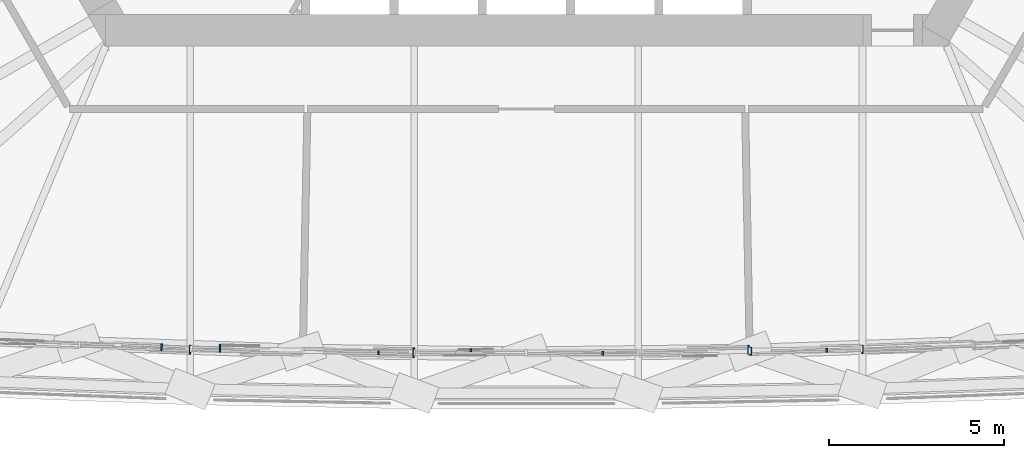
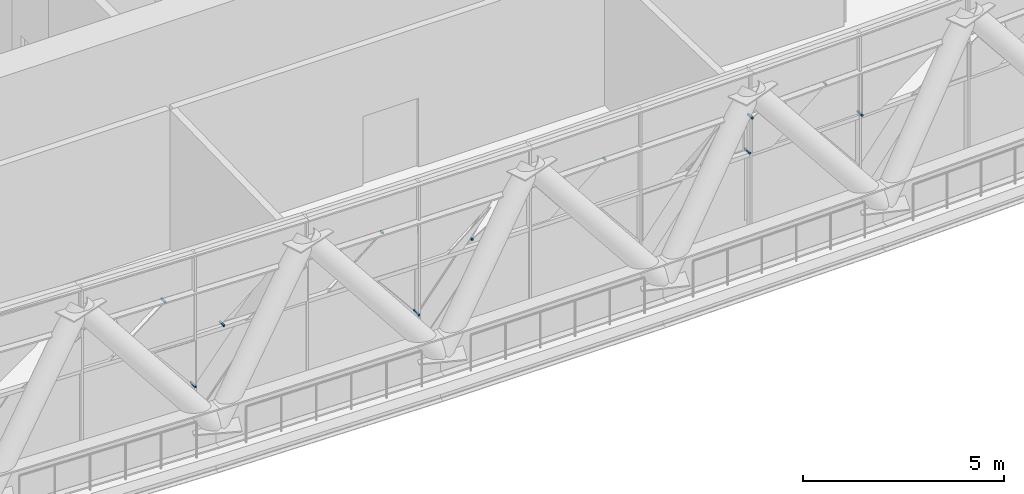
# One storey, part 34 of 43: 12 discrete accessories, 1 element without a shape of its own.
"""IFC4 building model written with IfcOpenShell, lengths in metres."""

from ifc_helpers import new_model, si_unit, direction, frame, origin, origin_2d, place, context, subcontext, project, spatial, rectangle, extrude, material, layer, layer_set, type_object, element, aggregate, save


model = new_model("IFC4")

# Units and contexts
model_context = context("Model", 3, precision=1e-05, world=origin(), true_north=direction((0.0, 1.0)))
body_context = subcontext(model_context, "Body", "Model", "MODEL_VIEW")
ifc_project = project(units=[si_unit("LENGTHUNIT", "METRE"), si_unit("AREAUNIT", "SQUARE_METRE"), si_unit("VOLUMEUNIT", "CUBIC_METRE"), si_unit("PLANEANGLEUNIT", "RADIAN"), si_unit("MASSUNIT", "GRAM", prefix="KILO")], contexts=[model_context])

# Site, building, storey
site_placement = place(None, origin())
site = spatial("IfcSite", under=ifc_project, at=site_placement, CompositionType="ELEMENT")
building_placement = place(site_placement, origin())
building = spatial("IfcBuilding", under=site, at=building_placement, Name="Mestral Congress Tower", CompositionType="ELEMENT")
storey_placement = place(building_placement, frame((0.0, 0.0, 78.300048828125)))
storey = spatial("IfcBuildingStorey", under=building, at=storey_placement, Name="L18", CompositionType="ELEMENT", Elevation=78.300048828125)

# Curtain wall, discrete accessories
ifc_material_1 = material(Name="Clear low-emissivity double glazing", Category="glass")
curtain_wall_type = type_object("IfcCurtainWallType", Name="Facade refuge band screen", PredefinedType="USERDEFINED", material=ifc_material_1)
curtain_wall_placement = place(storey_placement, origin())
curtain_wall = element("IfcCurtainWall", 1, at=curtain_wall_placement, inside=storey, type_object=curtain_wall_type, Name="Facade refuge band screen face 1", ObjectType="CURTAIN WALL", PredefinedType="USERDEFINED")
ifc_material_2 = material(Name="Steel S355", Category="steel")
ifc_layer = layer(ifc_material_2, 0.050048828125)
ifc_layer_set = layer_set([ifc_layer], Name="Steel S355")
discrete_accessory_type = type_object("IfcDiscreteAccessoryType", Name="Facade bracket", PredefinedType="BRACKET", material=ifc_layer_set)
discrete_accessory_1_placement = place(storey_placement, frame((-9.597900390625, -21.67578125, 1.11083984375), z_axis=(0.0, 0.0, 1.0), x_axis=(0.999316832503, -0.036957655167, 0.0)))
discrete_accessory_1 = element("IfcDiscreteAccessory", 2, at=discrete_accessory_1_placement, type_object=discrete_accessory_type, Name="Facade bracket", PredefinedType="BRACKET", context=body_context, shape_type="SweptSolid", body=[
    extrude(rectangle(XDim=0.050048828125, YDim=0.262939453125, at=origin_2d()), origin(), (0.0, 0.0, 1.0), 0.050048828125),
])
discrete_accessory_2_placement = place(storey_placement, frame((-10.413330078125, -21.60302734375, 3.9130859375), z_axis=(0.0, 0.0, 1.0), x_axis=(0.999314831439, -0.037011723357, 0.0)))
discrete_accessory_2 = element("IfcDiscreteAccessory", 3, at=discrete_accessory_2_placement, type_object=discrete_accessory_type, Name="Facade bracket", PredefinedType="BRACKET", context=body_context, shape_type="SweptSolid", body=[
    extrude(rectangle(XDim=0.050048828125, YDim=0.210205078125, at=origin_2d()), origin(), (0.0, 0.0, 1.0), 0.050048828125),
])
discrete_accessory_3_placement = place(storey_placement, frame((-8.74658203125, -21.6337890625, 2.634765625), z_axis=(0.0, 0.0, 1.0), x_axis=(0.999829677053, -0.018455808953, 0.0)))
discrete_accessory_3 = element("IfcDiscreteAccessory", 4, at=discrete_accessory_3_placement, type_object=discrete_accessory_type, Name="Facade bracket", PredefinedType="BRACKET", context=body_context, shape_type="SweptSolid", body=[
    extrude(rectangle(XDim=0.050048828125, YDim=0.22412109375, at=origin_2d()), origin(), (0.0, 0.0, 1.0), 0.050048828125),
])
discrete_accessory_4_placement = place(storey_placement, frame((-3.218505859375, -21.7392578125, 1.1123046875), z_axis=(0.0, 0.0, 1.0), x_axis=(0.999829773674, -0.018450573856, 0.0)))
discrete_accessory_4 = element("IfcDiscreteAccessory", 5, at=discrete_accessory_4_placement, type_object=discrete_accessory_type, Name="Facade bracket", PredefinedType="BRACKET", context=body_context, shape_type="SweptSolid", body=[
    extrude(rectangle(XDim=0.05078125, YDim=0.247314453125, at=origin_2d()), origin(), (0.0, 0.0, 1.0), 0.050048828125),
])
discrete_accessory_5_placement = place(storey_placement, frame((-3.219482421875, -21.77978515625, 1.1123046875), z_axis=(0.0, 0.0, 1.0), x_axis=(0.99982916128, -0.018483729457, 0.0)))
discrete_accessory_5 = element("IfcDiscreteAccessory", 6, at=discrete_accessory_5_placement, type_object=discrete_accessory_type, Name="Facade bracket", PredefinedType="BRACKET", context=body_context, shape_type="SweptSolid", body=[
    extrude(rectangle(XDim=0.05029296875, YDim=0.234375, at=origin_2d()), origin(), (0.0, 0.0, 1.0), 0.050048828125),
])
discrete_accessory_6_placement = place(storey_placement, frame((-4.218017578125, -21.75927734375, 3.9130859375), z_axis=(0.0, 0.0, 1.0), x_axis=(0.999828903101, -0.018497689704, 0.0)))
discrete_accessory_6 = element("IfcDiscreteAccessory", 7, at=discrete_accessory_6_placement, type_object=discrete_accessory_type, Name="Facade bracket", PredefinedType="BRACKET", context=body_context, shape_type="SweptSolid", body=[
    extrude(rectangle(XDim=0.050048828125, YDim=0.106689453125, at=origin_2d()), origin(), (0.0, 0.0, 1.0), 0.050048828125),
])
discrete_accessory_7_placement = place(storey_placement, frame((-1.587158203125, -21.6845703125, 2.740234375), z_axis=(0.0, 0.0, 1.0), x_axis=(0.999999965272, 0.000263544714, 0.0)))
discrete_accessory_7 = element("IfcDiscreteAccessory", 8, at=discrete_accessory_7_placement, type_object=discrete_accessory_type, Name="Facade bracket", PredefinedType="BRACKET", context=body_context, shape_type="SweptSolid", body=[
    extrude(rectangle(XDim=0.051513671875, YDim=0.08056640625, at=origin_2d()), origin(), (0.0, 0.0, 1.0), 0.052490234375),
])
discrete_accessory_8_placement = place(storey_placement, frame((2.180419921875, -21.771484375, 3.9130859375), z_axis=(0.0, 0.0, 1.0), x_axis=(1.0, 0.0, 0.0)))
discrete_accessory_8 = element("IfcDiscreteAccessory", 9, at=discrete_accessory_8_placement, type_object=discrete_accessory_type, Name="Facade bracket", PredefinedType="BRACKET", context=body_context, shape_type="SweptSolid", body=[
    extrude(rectangle(XDim=0.050048828125, YDim=0.111083984375, at=origin_2d()), origin(), (0.0, 0.0, 1.0), 0.050048828125),
])
discrete_accessory_9_placement = place(storey_placement, frame((6.34765625, -21.678466796875, 2.634765625), z_axis=(0.0, 0.0, 1.0), x_axis=(0.99982974147, 0.018452318888, 0.0)))
discrete_accessory_9 = element("IfcDiscreteAccessory", 10, at=discrete_accessory_9_placement, type_object=discrete_accessory_type, Name="Facade bracket", PredefinedType="BRACKET", context=body_context, shape_type="SweptSolid", body=[
    extrude(rectangle(XDim=0.050048828125, YDim=0.2529296875, at=origin_2d()), origin(), (0.0, 0.0, 1.0), 0.050048828125),
])
discrete_accessory_10_placement = place(storey_placement, frame((8.578125, -21.693115234375, 3.9130859375), z_axis=(0.0, 0.0, 1.0), x_axis=(0.999830192047, 0.018427888434, 0.0)))
discrete_accessory_10 = element("IfcDiscreteAccessory", 11, at=discrete_accessory_10_placement, type_object=discrete_accessory_type, Name="Facade bracket", PredefinedType="BRACKET", context=body_context, shape_type="SweptSolid", body=[
    extrude(rectangle(XDim=0.050048828125, YDim=0.10888671875, at=origin_2d()), origin(), (0.0, 0.0, 1.0), 0.050048828125),
])
discrete_accessory_11_placement = place(storey_placement, frame((6.40771484375, -21.721435546875, 3.6953125), z_axis=(0.0, 0.0, 1.0), x_axis=(0.99983070626, 0.0183999679, 0.0)))
discrete_accessory_11 = element("IfcDiscreteAccessory", 12, at=discrete_accessory_11_placement, type_object=discrete_accessory_type, Name="Facade bracket", PredefinedType="BRACKET", context=body_context, shape_type="SweptSolid", body=[
    extrude(rectangle(XDim=0.051513671875, YDim=0.234375, at=origin_2d()), origin(), (0.0, 0.0, 1.0), 0.050048828125),
])
discrete_accessory_12_placement = place(storey_placement, frame((9.597900390625, -21.663330078125, 2.634765625), z_axis=(0.0, 0.0, 1.0), x_axis=(0.999316445429, 0.036968119987, 0.0)))
discrete_accessory_12 = element("IfcDiscreteAccessory", 13, at=discrete_accessory_12_placement, type_object=discrete_accessory_type, Name="Facade bracket", PredefinedType="BRACKET", context=body_context, shape_type="SweptSolid", body=[
    extrude(rectangle(XDim=0.050048828125, YDim=0.23828125, at=origin_2d()), origin(), (0.0, 0.0, 1.0), 0.050048828125),
])
aggregate(curtain_wall, [discrete_accessory_1, discrete_accessory_2, discrete_accessory_3, discrete_accessory_4, discrete_accessory_5, discrete_accessory_6, discrete_accessory_7, discrete_accessory_8, discrete_accessory_9, discrete_accessory_10, discrete_accessory_11, discrete_accessory_12])

save(model, "model.ifc")
